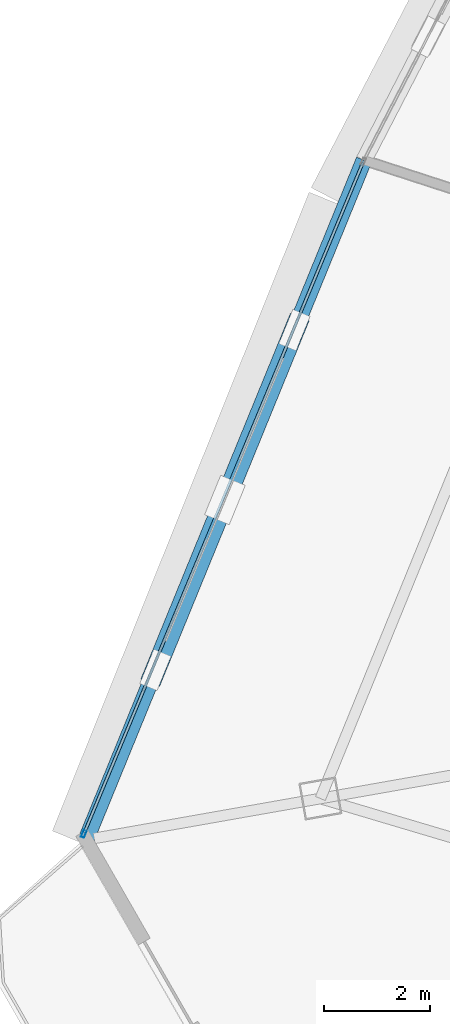
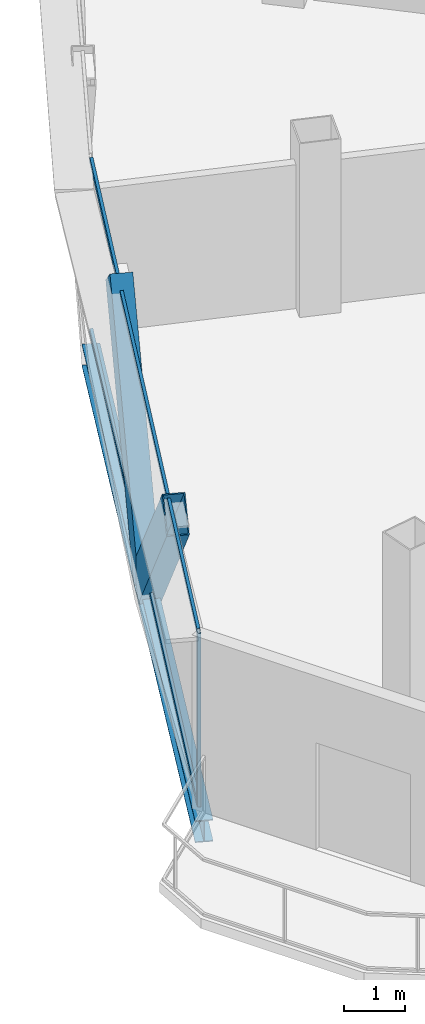
# One storey, part 4 of 33: 5 members, 1 beam, 1 element without a shape of its own.
"""IFC4 building model written with IfcOpenShell, lengths in metres."""

from ifc_helpers import new_model, si_unit, direction, frame, origin, origin_2d, place, context, subcontext, project, spatial, hollow_rectangle, i_section, extrude, source, transform, mapped, material, layer, layer_set, material_profile, profile_set, type_object, element, aggregate, save


model = new_model("IFC4")

# Units and contexts
model_context = context("Model", 3, precision=1e-05, world=origin(), true_north=direction((0.0, 1.0)))
body_context = subcontext(model_context, "Body", "Model", "MODEL_VIEW")
ifc_project = project(units=[si_unit("LENGTHUNIT", "METRE"), si_unit("AREAUNIT", "SQUARE_METRE"), si_unit("VOLUMEUNIT", "CUBIC_METRE"), si_unit("PLANEANGLEUNIT", "RADIAN"), si_unit("MASSUNIT", "GRAM", prefix="KILO"), si_unit("THERMODYNAMICTEMPERATUREUNIT", "KELVIN"), si_unit("POWERUNIT", "WATT")], contexts=[model_context])

# Site, building, storey
site_placement = place(None, origin())
site = spatial("IfcSite", under=ifc_project, at=site_placement, CompositionType="ELEMENT")
building_placement = place(site_placement, origin())
building = spatial("IfcBuilding", under=site, at=building_placement, Name="Yunzhuo Pagoda Commons", CompositionType="ELEMENT")
storey_placement = place(building_placement, frame((0.0, 0.0, 329.260009765625)))
storey = spatial("IfcBuildingStorey", under=building, at=storey_placement, Name="L82", CompositionType="ELEMENT", Elevation=329.260009765625)

# Beam
ifc_material_1 = material(Name="Structural steel Q355B", Category="steel")
ifc_material_profile_1 = material_profile(ifc_material_1, i_section(OverallWidth=0.300048828125, OverallDepth=0.43994140625, WebThickness=0.010986328125, FlangeThickness=0.01806640625, at=origin_2d()), Name="Structural steel Q355B")
ifc_profile_set_1 = profile_set([ifc_material_profile_1], Name="Structural steel Q355B")
beam_type = type_object("IfcBeamType", Name="B-SP2 Beam HM 440x300x11x18", PredefinedType="BEAM", material=ifc_profile_set_1)
shared_shape_1 = source(origin(), body_context, "Body", "SweptSolid", [
    extrude(i_section(OverallWidth=0.300048828125, OverallDepth=0.43994140625, WebThickness=0.010986328125, FlangeThickness=0.01806640625, at=origin_2d()), origin(), (0.0, 0.0, 1.0), 13.80419921875),
])
beam_placement = place(storey_placement, frame((24.348388671875, 41.385009765625, -0.47998046875), z_axis=(-0.378566733914, -0.925573999189, 0.0), x_axis=(0.925573999189, -0.378566733914, 0.0)))
element("IfcBeam", 1, at=beam_placement, inside=storey, type_object=beam_type, Name="L82 facade edge spandrel beam F3.3", PredefinedType="BEAM", context=body_context, shape_type="MappedRepresentation", body=[
    mapped(shared_shape_1, transform((0.0, 0.0, 0.0), scale=1.0)),
])

# Members
ifc_material_profile_2 = material_profile(ifc_material_1, hollow_rectangle(XDim=0.3798828125, YDim=0.719970703125, WallThickness=0.02001953125, at=origin_2d()), Name="Structural steel Q355B")
ifc_profile_set_2 = profile_set([ifc_material_profile_2], Name="Structural steel Q355B")
member_type_1 = type_object("IfcMemberType", Name="M-DL3 Brace BOX 720x380x20", PredefinedType="BRACE", material=ifc_profile_set_2)
shared_shape_2 = source(origin(), body_context, "Body", "SweptSolid", [
    extrude(hollow_rectangle(XDim=0.3798828125, YDim=0.719970703125, WallThickness=0.02001953125, at=origin_2d()), origin(), (0.0, 0.0, 1.0), 5.096435546875),
])
member_1_placement = place(storey_placement, frame((21.735595703125, 34.99658203125, -0.260009765625), z_axis=(-0.256383546831, -0.62677920903, 0.735809282384), x_axis=(0.925560477573, -0.378599791805, 0.0)))
element("IfcMember", 2, at=member_1_placement, inside=storey, type_object=member_type_1, Name="L82 facade diamond brace F3.3R", PredefinedType="BRACE", context=body_context, shape_type="MappedRepresentation", body=[
    mapped(shared_shape_2, transform((0.0, 0.0, 0.0), scale=1.0)),
])
shared_shape_3 = source(origin(), body_context, "Body", "SweptSolid", [
    extrude(hollow_rectangle(XDim=0.3798828125, YDim=0.719970703125, WallThickness=0.02001953125, at=origin_2d()), origin(), (0.0, 0.0, 1.0), 5.09619140625),
])
member_2_placement = place(storey_placement, frame((21.735595703125, 34.99658203125, -0.260009765625), z_axis=(0.256346487536, 0.626757820302, 0.735840412737), x_axis=(-0.925575126988, 0.378563976497, 0.0)))
element("IfcMember", 3, at=member_2_placement, inside=storey, type_object=member_type_1, Name="L82 facade diamond brace F3.3L", PredefinedType="BRACE", context=body_context, shape_type="MappedRepresentation", body=[
    mapped(shared_shape_3, transform((0.0, 0.0, 0.0), scale=1.0)),
])

# Curtain wall, members
ifc_material_2 = material(Name="Anodized aluminium 6063-T6", Category="aluminium")
ifc_layer = layer(ifc_material_2, 0.139892578125)
ifc_layer_set = layer_set([ifc_layer], Name="Anodized aluminium 6063-T6")
curtain_wall_type = type_object("IfcCurtainWallType", Name="CW-HI High-Zone Ribbon Curtain Wall", PredefinedType="NOTDEFINED", material=ifc_layer_set)
curtain_wall_placement = place(storey_placement, origin())
curtain_wall = element("IfcCurtainWall", 4, at=curtain_wall_placement, inside=storey, type_object=curtain_wall_type, Name="L82 curtain wall CW-L82-F3B4", PredefinedType="NOTDEFINED")
ifc_material_profile_3 = material_profile(ifc_material_2, hollow_rectangle(XDim=0.06005859375, YDim=0.139892578125, WallThickness=0.00341796875, at=origin_2d()), Name="Anodized aluminium 6063-T6")
ifc_profile_set_3 = profile_set([ifc_material_profile_3], Name="Anodized aluminium 6063-T6")
member_type_2 = type_object("IfcMemberType", Name="CW-HI-M Mullion RHS 140x60x3.5", PredefinedType="MULLION", material=ifc_profile_set_3)
shared_shape_4 = source(origin(), body_context, "Body", "SweptSolid", [
    extrude(hollow_rectangle(XDim=0.06005859375, YDim=0.139892578125, WallThickness=0.00341796875, at=origin_2d()), origin(), (0.0, 0.0, 1.0), 3.489990234375),
])
member_3_placement = place(storey_placement, frame((19.08349609375, 28.718994140625, 0.0), z_axis=(0.0, 0.0, 1.0), x_axis=(0.923407166951, -0.383821838909, 0.0)))
member_3 = element("IfcMember", 5, at=member_3_placement, type_object=member_type_2, Name="CW mullion 2", PredefinedType="MULLION", context=body_context, shape_type="MappedRepresentation", body=[
    mapped(shared_shape_4, transform((0.0, 0.0, 0.0), scale=1.0)),
])
ifc_material_profile_4 = material_profile(ifc_material_2, hollow_rectangle(XDim=0.054931640625, YDim=0.1201171875, WallThickness=0.00341796875, at=origin_2d()), Name="Anodized aluminium 6063-T6")
ifc_profile_set_4 = profile_set([ifc_material_profile_4], Name="Anodized aluminium 6063-T6")
member_type_3 = type_object("IfcMemberType", Name="CW-HI-T Transom RHS 120x55x3.5", PredefinedType="USERDEFINED", material=ifc_profile_set_4)
shared_shape_5 = source(origin(), body_context, "Body", "SweptSolid", [
    extrude(hollow_rectangle(XDim=0.054931640625, YDim=0.1201171875, WallThickness=0.00341796875, at=origin_2d()), origin(), (0.0, 0.0, 1.0), 13.62646484375),
])
member_4_placement = place(storey_placement, frame((24.3251953125, 41.32958984375, 0.027587890625), z_axis=(-0.383812484242, -0.92341105524, 0.0), x_axis=(0.92341105524, -0.383812484242, 0.0)))
member_4 = element("IfcMember", 6, at=member_4_placement, type_object=member_type_3, Name="CW transom 1.1", ObjectType="TRANSOM", PredefinedType="USERDEFINED", context=body_context, shape_type="MappedRepresentation", body=[
    mapped(shared_shape_5, transform((0.0, 0.0, 0.0), scale=1.0)),
])
member_5_placement = place(storey_placement, frame((24.3251953125, 41.32958984375, 3.46240234375), z_axis=(-0.383812484242, -0.92341105524, 0.0), x_axis=(0.92341105524, -0.383812484242, 0.0)))
member_5 = element("IfcMember", 7, at=member_5_placement, type_object=member_type_3, Name="CW transom 1.2", ObjectType="TRANSOM", PredefinedType="USERDEFINED", context=body_context, shape_type="MappedRepresentation", body=[
    mapped(shared_shape_5, transform((0.0, 0.0, 0.0), scale=1.0)),
])
aggregate(curtain_wall, [member_3, member_4, member_5])

save(model, "model.ifc")
